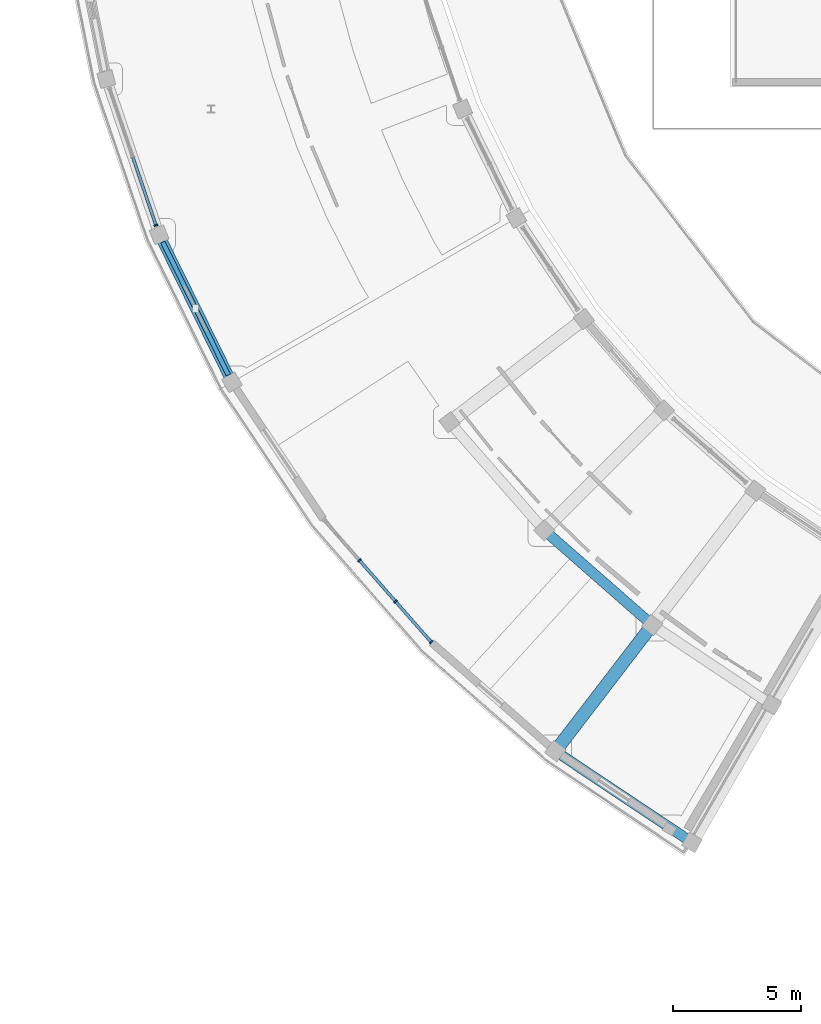
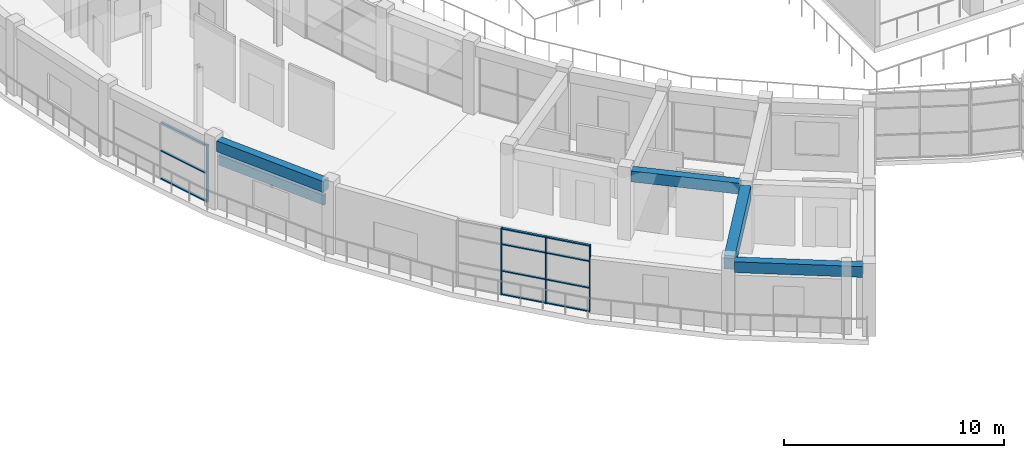
# One storey, part 12 of 83: 16 members, 4 beams, 2 elements without a shape of their own.
"""IFC4 building model written with IfcOpenShell, lengths in metres."""

import ifcopenshell
import ifcopenshell.guid

model = None  # the IFC model being written
_history = None  # IfcOwnerHistory: only IFC2X3 demands one
_inside = {}  # id of a spatial element -> (the spatial element, [elements in it])
_under = {}  # id of a project, library or spatial element -> (it, [spatial elements below it])
_declared = {}  # id of a project -> (the project, [libraries it declares])
_typed = {}  # id of a type object -> (the type object, [elements of that type])
_made_of = {}  # id of a material, layer set ... -> (it, [elements and type objects made of it])


def new_model(schema):
    """Start an empty IFC model of exactly this schema.

    Asked for "IFC4X3", IfcOpenShell would pick the latest addendum, in which some entities
    have other attributes; the version numbers below select the first issue.
    IFC2X3 requires an IfcOwnerHistory on every rooted entity: one is made here for all.
    """
    global model, _history
    if schema == "IFC4X3":
        model = ifcopenshell.file(schema_version=(4, 3, 0, 0))
    else:
        model = ifcopenshell.file(schema=schema)
    _inside.clear()
    _under.clear()
    _declared.clear()
    _typed.clear()
    _made_of.clear()
    _history = None
    if model.schema == "IFC2X3":
        org = make("IfcOrganization", Name="unknown")
        user = make(
            "IfcPersonAndOrganization",
            ThePerson=make("IfcPerson", FamilyName="unknown"),
            TheOrganization=org,
        )
        app = make(
            "IfcApplication",
            ApplicationDeveloper=org,
            Version="unknown",
            ApplicationFullName="unknown",
            ApplicationIdentifier="unknown",
        )
        _history = make(
            "IfcOwnerHistory",
            OwningUser=user,
            OwningApplication=app,
            ChangeAction="ADDED",
            CreationDate=0,
        )
    return model


def make(cls, **values):
    """One entity of the class cls with the attributes given. An attribute that is None is left unset."""
    return model.create_entity(
        cls, **{name: value for name, value in values.items() if value is not None}
    )


def rooted(cls, **values):
    """An entity with a GlobalId (a new one), such as an element, a storey or a relation."""
    return make(cls, GlobalId=ifcopenshell.guid.new(), OwnerHistory=_history, **values)


def si_unit(unit_type, name, prefix=None):
    """IfcSIUnit, for example si_unit("LENGTHUNIT", "METRE", prefix="MILLI")."""
    return make("IfcSIUnit", UnitType=unit_type, Prefix=prefix, Name=name)


def assignment(units):
    """IfcUnitAssignment: the units of a project."""
    return None if units is None else make("IfcUnitAssignment", Units=units)


def point(xyz):
    """IfcCartesianPoint."""
    return None if xyz is None else make("IfcCartesianPoint", Coordinates=xyz)


def direction(xyz):
    """IfcDirection."""
    return None if xyz is None else make("IfcDirection", DirectionRatios=xyz)


def frame(location, z_axis=None, x_axis=None):
    """IfcAxis2Placement3D, a coordinate frame: its origin and axes. An axis left out is left unset."""
    return make(
        "IfcAxis2Placement3D",
        Location=point(location),
        Axis=direction(z_axis),
        RefDirection=direction(x_axis),
    )


def frame_2d(location, x_axis=None):
    """IfcAxis2Placement2D, a coordinate frame in the plane: its origin and x axis."""
    return make(
        "IfcAxis2Placement2D", Location=point(location), RefDirection=direction(x_axis)
    )


def origin():
    """The frame at (0, 0, 0) with its axes left unset."""
    return frame((0.0, 0.0, 0.0))


def origin_2d():
    """The frame at (0, 0) in the plane with its x axis left unset."""
    return frame_2d((0.0, 0.0))


def place(relative_to, where):
    """IfcLocalPlacement: puts the frame where relative to a parent placement (None: the world)."""
    return make(
        "IfcLocalPlacement", PlacementRelTo=relative_to, RelativePlacement=where
    )


def context(
    kind, dimensions, precision=None, world=None, true_north=None, identifier=None
):
    """IfcGeometricRepresentationContext, for example the 3D "Model" context."""
    return make(
        "IfcGeometricRepresentationContext",
        ContextIdentifier=identifier,
        ContextType=kind,
        CoordinateSpaceDimension=dimensions,
        Precision=precision,
        WorldCoordinateSystem=world,
        TrueNorth=true_north,
    )


def subcontext(parent, identifier, kind, view, scale=None):
    """IfcGeometricRepresentationSubContext, for example "Body" below "Model"."""
    return make(
        "IfcGeometricRepresentationSubContext",
        ContextIdentifier=identifier,
        ContextType=kind,
        ParentContext=parent,
        TargetScale=scale,
        TargetView=view,
    )


def project(units=None, contexts=None):
    """IfcProject with its units and contexts."""
    return rooted(
        "IfcProject",
        Name="project",
        RepresentationContexts=contexts,
        UnitsInContext=assignment(units),
    )


def spatial(cls, under=None, at=None, **own):
    """A site, building, storey or space (cls), placed at a placement, below another one or the project."""
    s = rooted(cls, ObjectPlacement=at, **own)
    if under is not None:
        _under.setdefault(under.id(), (under, []))[1].append(s)
    return s


def profile(cls, at=None, kind="AREA", **sizes):
    """A parametric profile (cls). Its sizes go by their IFC names, for example OverallWidth=200.0."""
    return make(cls, ProfileType=kind, Position=at, **sizes)


def rectangle(**sizes):
    """IfcRectangleProfileDef."""
    return profile("IfcRectangleProfileDef", **sizes)


def extrude(swept, where, along, depth):
    """IfcExtrudedAreaSolid: the profile swept, set in the frame where, extruded along a direction by depth."""
    return make(
        "IfcExtrudedAreaSolid",
        SweptArea=swept,
        Position=where,
        ExtrudedDirection=direction(along),
        Depth=depth,
    )


def shape(context_of_items, identifier, shape_type, items):
    """IfcShapeRepresentation: the items that make up one representation, for example the "Body"."""
    return make(
        "IfcShapeRepresentation",
        ContextOfItems=context_of_items,
        RepresentationIdentifier=identifier,
        RepresentationType=shape_type,
        Items=items,
    )


def material(Name=None, Category=None):
    """IfcMaterial."""
    return make("IfcMaterial", Name=Name, Category=Category)


def material_profile(
    of_material, cross_section, Name=None, Category=None, Priority=None
):
    """IfcMaterialProfile: a cross section and its material."""
    return make(
        "IfcMaterialProfile",
        Name=Name,
        Material=of_material,
        Profile=cross_section,
        Priority=Priority,
        Category=Category,
    )


def profile_set(profiles, Name=None, composite=None):
    """IfcMaterialProfileSet."""
    return make(
        "IfcMaterialProfileSet",
        Name=Name,
        MaterialProfiles=profiles,
        CompositeProfile=composite,
    )


def made_of(thing, what):
    """Note that an element or type object is made of a material, layer set ...; save() writes the relation."""
    if what is not None:
        _made_of.setdefault(what.id(), (what, []))[1].append(thing)
    return thing


def type_object(cls, material=None, **own):
    """A type object (cls), such as IfcWallType, which elements share."""
    return made_of(rooted(cls, **own), material)


def element(
    cls,
    number,
    at=None,
    inside=None,
    cuts=None,
    type_object=None,
    material=None,
    context=None,
    identifier="Body",
    shape_type=None,
    held_by="IfcProductDefinitionShape",
    body=None,
    shapes=None,
    **own,
):
    """One element of the class cls, such as IfcWall. Its Tag is "e" and its number.

    at: its placement. inside: the storey or other place that contains it. cuts: it is an
    opening in that element (IfcRelVoidsElement). A single representation is given by context,
    identifier, shape_type and body (its items); several are given by shapes. held_by: the class
    of the entity that holds the representations. save() writes the other relations.
    """
    e = rooted(cls, Tag="e%d" % number, ObjectPlacement=at, **own)
    if body is not None:
        shapes = [shape(context, identifier, shape_type, body)]
    if shapes is not None:
        e.Representation = make(held_by, Representations=shapes)
    if inside is not None:
        _inside.setdefault(inside.id(), (inside, []))[1].append(e)
    if cuts is not None:
        rooted(
            "IfcRelVoidsElement", RelatingBuildingElement=cuts, RelatedOpeningElement=e
        )
    if type_object is not None:
        _typed.setdefault(type_object.id(), (type_object, []))[1].append(e)
    return made_of(e, material)


def aggregate(whole, parts):
    """IfcRelAggregates: a whole, such as a stair, and the parts it consists of."""
    return rooted("IfcRelAggregates", RelatingObject=whole, RelatedObjects=parts)


def save(model, path):
    """Write the relations noted so far, then the file.

    IfcRelAggregates (storeys below a building ...), IfcRelContainedInSpatialStructure (elements
    in a storey), IfcRelDefinesByType, IfcRelAssociatesMaterial and IfcRelDeclares: one each for
    every whole, place, type object, material and project.
    """
    for whole, parts in _under.values():
        aggregate(whole, parts)
    for where, things in _inside.values():
        rooted(
            "IfcRelContainedInSpatialStructure",
            RelatedElements=things,
            RelatingStructure=where,
        )
    for kind, things in _typed.values():
        rooted("IfcRelDefinesByType", RelatedObjects=things, RelatingType=kind)
    for what, things in _made_of.values():
        rooted("IfcRelAssociatesMaterial", RelatedObjects=things, RelatingMaterial=what)
    for by, libraries in _declared.values():
        rooted("IfcRelDeclares", RelatingContext=by, RelatedDefinitions=libraries)
    model.write(path)


model = new_model("IFC4")

# Units and contexts
model_context = context("Model", 3, precision=1e-05, world=origin(), true_north=direction((0.0, 1.0)))
body_context = subcontext(model_context, "Body", "Model", "MODEL_VIEW")
ifc_project = project(units=[si_unit("LENGTHUNIT", "METRE"), si_unit("AREAUNIT", "SQUARE_METRE"), si_unit("VOLUMEUNIT", "CUBIC_METRE"), si_unit("PLANEANGLEUNIT", "RADIAN"), si_unit("MASSUNIT", "GRAM", prefix="KILO")], contexts=[model_context])

# Site, building, storey
site_placement = place(None, origin())
site = spatial("IfcSite", under=ifc_project, at=site_placement, CompositionType="ELEMENT")
building_placement = place(site_placement, origin())
building = spatial("IfcBuilding", under=site, at=building_placement, Name="Saryqyr Civic Hall", CompositionType="ELEMENT")
storey_placement = place(building_placement, frame((0.0, 0.0, 9.14990234375)))
storey = spatial("IfcBuildingStorey", under=building, at=storey_placement, Name="L02", CompositionType="ELEMENT", Elevation=9.14990234375)

# Curtain wall, member
ifc_material_1 = material(Name="Anodised aluminium and triple low-E glass", Category="aluminium")
curtain_wall_type_1 = type_object("IfcCurtainWallType", Name="ENV-CW-STD-23", PredefinedType="NOTDEFINED", material=ifc_material_1)
curtain_wall_1_placement = place(storey_placement, origin())
curtain_wall_1 = element("IfcCurtainWall", 1, at=curtain_wall_1_placement, inside=storey, type_object=curtain_wall_type_1, Name="Curtain wall V4-CWO-L02-04", PredefinedType="NOTDEFINED")
ifc_material_2 = material(Name="Anodised aluminium", Category="aluminium")
ifc_material_profile_1 = material_profile(ifc_material_2, rectangle(XDim=0.06005859375, YDim=0.159912109375, at=origin_2d()), Name="ALU MULLION 60x160")
ifc_profile_set_1 = profile_set([ifc_material_profile_1], Name="Anodised aluminium")
member_type_1 = type_object("IfcMemberType", Name="ENV-CW-MUL-180", PredefinedType="MULLION", material=ifc_profile_set_1)
member_1_placement = place(storey_placement, frame((11.604736328125, 65.616943359375, 0.0), z_axis=(0.0, 0.0, 1.0), x_axis=(-0.321446589179, 0.946927711235, 0.0)))
member_1 = element("IfcMember", 2, at=member_1_placement, type_object=member_type_1, Name="CW-23 mullion 1", PredefinedType="MULLION", context=body_context, shape_type="SweptSolid", body=[
    extrude(rectangle(XDim=0.06005859375, YDim=0.159912109375, at=origin_2d()), origin(), (0.0, 0.0, 1.0), 3.1650390625),
])

# Curtain wall, members
curtain_wall_type_2 = type_object("IfcCurtainWallType", Name="ENV-CW-STD-26", PredefinedType="NOTDEFINED", material=ifc_material_1)
curtain_wall_2_placement = place(storey_placement, origin())
curtain_wall_2 = element("IfcCurtainWall", 3, at=curtain_wall_2_placement, inside=storey, type_object=curtain_wall_type_2, Name="Curtain wall V4-CWO-L02-07", PredefinedType="NOTDEFINED")
member_2_placement = place(storey_placement, frame((22.33203125, 49.374267578125, 0.0), z_axis=(0.0, 0.0, 1.0), x_axis=(-0.659349177167, 0.751836859012, 0.0)))
member_2 = element("IfcMember", 4, at=member_2_placement, type_object=member_type_1, Name="CW-26 mullion 1", PredefinedType="MULLION", context=body_context, shape_type="SweptSolid", body=[
    extrude(rectangle(XDim=0.06005859375, YDim=0.159912109375, at=origin_2d()), origin(), (0.0, 0.0, 1.0), 3.7001953125),
])
member_3_placement = place(storey_placement, frame((20.943115234375, 50.9580078125, 0.0), z_axis=(0.0, 0.0, 1.0), x_axis=(-0.659349177167, 0.751836859012, 0.0)))
member_3 = element("IfcMember", 5, at=member_3_placement, type_object=member_type_1, Name="CW-26 mullion 2", PredefinedType="MULLION", context=body_context, shape_type="SweptSolid", body=[
    extrude(rectangle(XDim=0.06005859375, YDim=0.159912109375, at=origin_2d()), origin(), (0.0, 0.0, 1.0), 3.7001953125),
])
member_4_placement = place(storey_placement, frame((19.534423828125, 52.564453125, 0.0), z_axis=(0.0, 0.0, 1.0), x_axis=(-0.659349177167, 0.751836859012, 0.0)))
member_4 = element("IfcMember", 6, at=member_4_placement, type_object=member_type_1, Name="CW-26 mullion 3", PredefinedType="MULLION", context=body_context, shape_type="SweptSolid", body=[
    extrude(rectangle(XDim=0.06005859375, YDim=0.159912109375, at=origin_2d()), origin(), (0.0, 0.0, 1.0), 3.7001953125),
])

# Member
ifc_material_profile_2 = material_profile(ifc_material_2, rectangle(XDim=0.1201171875, YDim=0.06005859375, at=origin_2d()), Name="ALU TRANSOM 120x60")
ifc_profile_set_2 = profile_set([ifc_material_profile_2], Name="Anodised aluminium")
member_type_2 = type_object("IfcMemberType", Name="ENV-CW-TRN-150", PredefinedType="USERDEFINED", material=ifc_profile_set_2)
member_5_placement = place(storey_placement, frame((11.59521484375, 65.645263671875, 0.030029296875), z_axis=(-0.321405579484, 0.946941631505, 0.0), x_axis=(-0.946941631505, -0.321405579484, 0.0)))
member_5 = element("IfcMember", 7, at=member_5_placement, type_object=member_type_2, Name="CW-23 transom 1.1", ObjectType="TRANSOM", PredefinedType="USERDEFINED", context=body_context, shape_type="SweptSolid", body=[
    extrude(rectangle(XDim=0.1201171875, YDim=0.06005859375, at=origin_2d()), origin(), (0.0, 0.0, 1.0), 2.755859375),
])

member_6_placement = place(storey_placement, frame((11.59521484375, 65.645263671875, 1.58203125), z_axis=(-0.321405579484, 0.946941631505, 0.0), x_axis=(-0.946941631505, -0.321405579484, 0.0)))
member_6 = element("IfcMember", 8, at=member_6_placement, type_object=member_type_2, Name="CW-23 transom 1.2", ObjectType="TRANSOM", PredefinedType="USERDEFINED", context=body_context, shape_type="SweptSolid", body=[
    extrude(rectangle(XDim=0.1201171875, YDim=0.06005859375, at=origin_2d()), origin(), (0.0, 0.0, 1.0), 2.755859375),
])

member_7_placement = place(storey_placement, frame((11.59521484375, 65.645263671875, 3.135009765625), z_axis=(-0.321405579484, 0.946941631505, 0.0), x_axis=(-0.946941631505, -0.321405579484, 0.0)))
member_7 = element("IfcMember", 9, at=member_7_placement, type_object=member_type_2, Name="CW-23 transom 1.3", ObjectType="TRANSOM", PredefinedType="USERDEFINED", context=body_context, shape_type="SweptSolid", body=[
    extrude(rectangle(XDim=0.1201171875, YDim=0.06005859375, at=origin_2d()), origin(), (0.0, 0.0, 1.0), 2.755859375),
])

aggregate(curtain_wall_1, [member_1, member_5, member_6, member_7])

member_8_placement = place(storey_placement, frame((22.312255859375, 49.39697265625, 0.030029296875), z_axis=(-0.659365663126, 0.751822400764, 0.0), x_axis=(-0.751822400764, -0.659365663126, 0.0)))
member_8 = element("IfcMember", 10, at=member_8_placement, type_object=member_type_2, Name="CW-26 transom 1.1", ObjectType="TRANSOM", PredefinedType="USERDEFINED", context=body_context, shape_type="SweptSolid", body=[
    extrude(rectangle(XDim=0.1201171875, YDim=0.06005859375, at=origin_2d()), origin(), (0.0, 0.0, 1.0), 2.04638671875),
])

member_9_placement = place(storey_placement, frame((22.312255859375, 49.39697265625, 1.33203125), z_axis=(-0.659365663126, 0.751822400764, 0.0), x_axis=(-0.751822400764, -0.659365663126, 0.0)))
member_9 = element("IfcMember", 11, at=member_9_placement, type_object=member_type_2, Name="CW-26 transom 1.2", ObjectType="TRANSOM", PredefinedType="USERDEFINED", context=body_context, shape_type="SweptSolid", body=[
    extrude(rectangle(XDim=0.1201171875, YDim=0.06005859375, at=origin_2d()), origin(), (0.0, 0.0, 1.0), 2.04638671875),
])

member_10_placement = place(storey_placement, frame((22.312255859375, 49.39697265625, 2.81201171875), z_axis=(-0.659365663126, 0.751822400764, 0.0), x_axis=(-0.751822400764, -0.659365663126, 0.0)))
member_10 = element("IfcMember", 12, at=member_10_placement, type_object=member_type_2, Name="CW-26 transom 1.3", ObjectType="TRANSOM", PredefinedType="USERDEFINED", context=body_context, shape_type="SweptSolid", body=[
    extrude(rectangle(XDim=0.1201171875, YDim=0.06005859375, at=origin_2d()), origin(), (0.0, 0.0, 1.0), 2.04638671875),
])

member_11_placement = place(storey_placement, frame((22.312255859375, 49.39697265625, 3.670166015625), z_axis=(-0.659365663126, 0.751822400764, 0.0), x_axis=(-0.751822400764, -0.659365663126, 0.0)))
member_11 = element("IfcMember", 13, at=member_11_placement, type_object=member_type_2, Name="CW-26 transom 1.4", ObjectType="TRANSOM", PredefinedType="USERDEFINED", context=body_context, shape_type="SweptSolid", body=[
    extrude(rectangle(XDim=0.1201171875, YDim=0.06005859375, at=origin_2d()), origin(), (0.0, 0.0, 1.0), 2.04638671875),
])

member_12_placement = place(storey_placement, frame((20.92333984375, 50.980712890625, 0.030029296875), z_axis=(-0.659386522688, 0.751804105932, 0.0), x_axis=(-0.751804105932, -0.659386522688, 0.0)))
member_12 = element("IfcMember", 14, at=member_12_placement, type_object=member_type_2, Name="CW-26 transom 2.1", ObjectType="TRANSOM", PredefinedType="USERDEFINED", context=body_context, shape_type="SweptSolid", body=[
    extrude(rectangle(XDim=0.1201171875, YDim=0.06005859375, at=origin_2d()), origin(), (0.0, 0.0, 1.0), 2.076416015625),
])

member_13_placement = place(storey_placement, frame((20.92333984375, 50.980712890625, 1.33203125), z_axis=(-0.659386522688, 0.751804105932, 0.0), x_axis=(-0.751804105932, -0.659386522688, 0.0)))
member_13 = element("IfcMember", 15, at=member_13_placement, type_object=member_type_2, Name="CW-26 transom 2.2", ObjectType="TRANSOM", PredefinedType="USERDEFINED", context=body_context, shape_type="SweptSolid", body=[
    extrude(rectangle(XDim=0.1201171875, YDim=0.06005859375, at=origin_2d()), origin(), (0.0, 0.0, 1.0), 2.076416015625),
])

member_14_placement = place(storey_placement, frame((20.92333984375, 50.980712890625, 2.81201171875), z_axis=(-0.659386522688, 0.751804105932, 0.0), x_axis=(-0.751804105932, -0.659386522688, 0.0)))
member_14 = element("IfcMember", 16, at=member_14_placement, type_object=member_type_2, Name="CW-26 transom 2.3", ObjectType="TRANSOM", PredefinedType="USERDEFINED", context=body_context, shape_type="SweptSolid", body=[
    extrude(rectangle(XDim=0.1201171875, YDim=0.06005859375, at=origin_2d()), origin(), (0.0, 0.0, 1.0), 2.076416015625),
])

member_15_placement = place(storey_placement, frame((20.92333984375, 50.980712890625, 3.670166015625), z_axis=(-0.659386522688, 0.751804105932, 0.0), x_axis=(-0.751804105932, -0.659386522688, 0.0)))
member_15 = element("IfcMember", 17, at=member_15_placement, type_object=member_type_2, Name="CW-26 transom 2.4", ObjectType="TRANSOM", PredefinedType="USERDEFINED", context=body_context, shape_type="SweptSolid", body=[
    extrude(rectangle(XDim=0.1201171875, YDim=0.06005859375, at=origin_2d()), origin(), (0.0, 0.0, 1.0), 2.076416015625),
])

aggregate(curtain_wall_2, [member_2, member_3, member_4, member_8, member_9, member_10, member_11, member_12, member_13, member_14, member_15])

ifc_material_3 = material(Name="Precast concrete C40/50", Category="concrete")
ifc_material_profile_3 = material_profile(ifc_material_3, rectangle(XDim=0.179931640625, YDim=0.550048828125, at=origin_2d()), Name="PC FIN 180x550")
ifc_profile_set_3 = profile_set([ifc_material_profile_3], Name="Precast concrete C40/50")
member_type_3 = type_object("IfcMemberType", Name="ENV-FIN-PC550", PredefinedType="USERDEFINED", material=ifc_profile_set_3)
member_16_placement = place(storey_placement, frame((11.87060546875, 64.96337890625, 2.670166015625), z_axis=(0.442301802768, -0.89686627502, 0.0), x_axis=(0.89686627502, 0.442301802768, 0.0)))
element("IfcMember", 18, at=member_16_placement, inside=storey, type_object=member_type_3, Name="Precast horizontal solar brise-soleil fin V4-L02-05", ObjectType="SOLAR_FIN", PredefinedType="USERDEFINED", context=body_context, shape_type="SweptSolid", body=[
    extrude(rectangle(XDim=0.179931640625, YDim=0.550048828125, at=origin_2d()), origin(), (0.0, 0.0, 1.0), 5.773681640625),
])

# Beams
ifc_material_4 = material(Name="Concrete C35/45", Category="concrete")
ifc_material_profile_4 = material_profile(ifc_material_4, rectangle(XDim=0.39990234375, YDim=0.60009765625, at=origin_2d()), Name="RC 400x600")
ifc_profile_set_4 = profile_set([ifc_material_profile_4], Name="Concrete C35/45")
beam_type_1 = type_object("IfcBeamType", Name="STR-BM-RC400x600", PredefinedType="BEAM", material=ifc_profile_set_4)
beam_1_placement = place(storey_placement, frame((26.942626953125, 53.554443359375, 3.489990234375), z_axis=(0.751848271564, -0.659336163536, 0.0), x_axis=(0.659336163536, 0.751848271564, 0.0)))
element("IfcBeam", 19, at=beam_1_placement, inside=storey, type_object=beam_type_1, Name="Beam V4-CBM-MID08-L02", PredefinedType="BEAM", context=body_context, shape_type="SweptSolid", body=[
    extrude(rectangle(XDim=0.39990234375, YDim=0.60009765625, at=origin_2d()), origin(), (0.0, 0.0, 1.0), 5.04833984375),
])
ifc_material_profile_5 = material_profile(ifc_material_4, rectangle(XDim=0.39990234375, YDim=0.60009765625, at=origin_2d()), Name="RC 400x600")
ifc_profile_set_5 = profile_set([ifc_material_profile_5], Name="Concrete C35/45")
beam_type_2 = type_object("IfcBeamType", Name="STR-BM-RC400x600-EXT", PredefinedType="BEAM", material=ifc_profile_set_5)
beam_2_placement = place(storey_placement, frame((11.8515625, 65.001953125, 3.489990234375), z_axis=(0.44227366089, -0.896880153021, 0.0), x_axis=(0.896880153021, 0.44227366089, 0.0)))
element("IfcBeam", 20, at=beam_2_placement, inside=storey, type_object=beam_type_2, Name="Beam V4-CBM-OUT05-L02", PredefinedType="BEAM", context=body_context, shape_type="SweptSolid", body=[
    extrude(rectangle(XDim=0.39990234375, YDim=0.60009765625, at=origin_2d()), origin(), (0.0, 0.0, 1.0), 5.859619140625),
])
beam_3_placement = place(storey_placement, frame((27.3994140625, 44.972900390625, 3.489990234375), z_axis=(0.831460079257, -0.555584499966, 0.0), x_axis=(0.555584499966, 0.831460079257, 0.0)))
element("IfcBeam", 21, at=beam_3_placement, inside=storey, type_object=beam_type_2, Name="Beam V4-CBM-OUT09-L02", PredefinedType="BEAM", context=body_context, shape_type="SweptSolid", body=[
    extrude(rectangle(XDim=0.39990234375, YDim=0.60009765625, at=origin_2d()), origin(), (0.0, 0.0, 1.0), 5.859375),
])
ifc_material_5 = material(Name="Concrete C40/50", Category="concrete")
ifc_material_profile_6 = material_profile(ifc_material_5, rectangle(XDim=0.5, YDim=0.75, at=origin_2d()), Name="RC 500x750")
ifc_profile_set_6 = profile_set([ifc_material_profile_6], Name="Concrete C40/50")
beam_type_3 = type_object("IfcBeamType", Name="STR-BM-RC500x750", PredefinedType="BEAM", material=ifc_profile_set_6)
beam_4_placement = place(storey_placement, frame((30.777587890625, 49.826416015625, 3.4150390625), z_axis=(-0.608758070133, -0.793355917636, 0.0), x_axis=(0.793355917636, -0.608758070133, 0.0)))
element("IfcBeam", 22, at=beam_4_placement, inside=storey, type_object=beam_type_3, Name="Beam V4-RBM-B09-L02", PredefinedType="BEAM", context=body_context, shape_type="SweptSolid", body=[
    extrude(rectangle(XDim=0.5, YDim=0.75, at=origin_2d()), origin(), (0.0, 0.0, 1.0), 5.64990234375),
])

save(model, "model.ifc")
